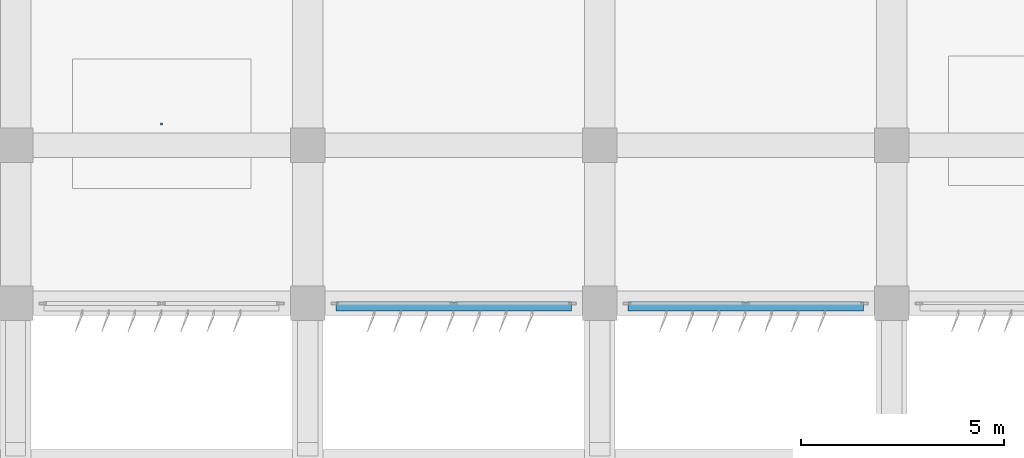
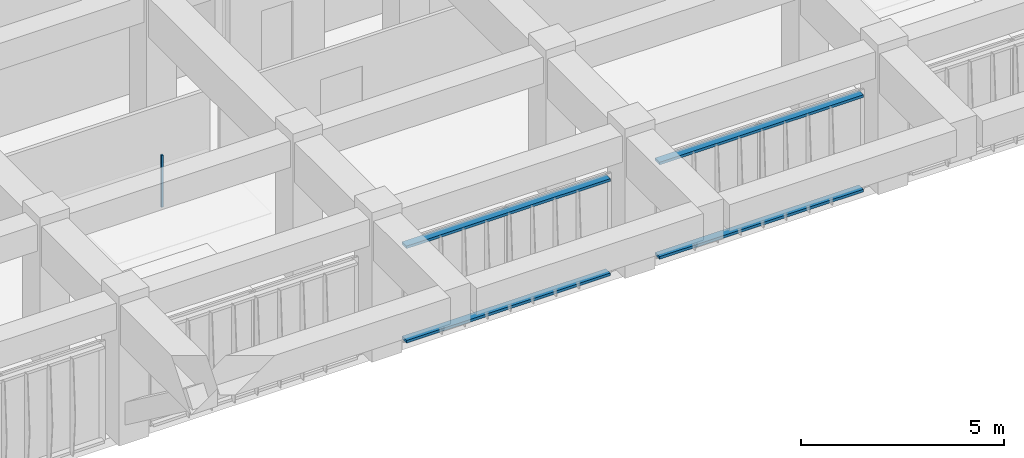
# One storey, part 40 of 56: 5 discrete accessories.
"""IFC4 building model written with IfcOpenShell, lengths in metres."""

from ifc_helpers import new_model, si_unit, direction, frame, origin, origin_2d, place, context, subcontext, project, spatial, rectangle, extrude, material, type_object, element, save


model = new_model("IFC4")

# Units and contexts
model_context = context("Model", 3, precision=1e-05, world=origin(), true_north=direction((0.0, 1.0)))
body_context = subcontext(model_context, "Body", "Model", "MODEL_VIEW")
ifc_project = project(units=[si_unit("LENGTHUNIT", "METRE"), si_unit("AREAUNIT", "SQUARE_METRE"), si_unit("VOLUMEUNIT", "CUBIC_METRE"), si_unit("PLANEANGLEUNIT", "RADIAN"), si_unit("MASSUNIT", "GRAM", prefix="KILO")], contexts=[model_context])

# Site, building, storey
site_placement = place(None, origin())
site = spatial("IfcSite", under=ifc_project, at=site_placement, CompositionType="ELEMENT")
building_placement = place(site_placement, origin())
building = spatial("IfcBuilding", under=site, at=building_placement, Name="Kazehaya Institute of Natural Sciences", CompositionType="ELEMENT")
storey_placement = place(building_placement, frame((0.0, 0.0, 24.300048828125)))
storey = spatial("IfcBuildingStorey", under=building, at=storey_placement, Name="L05", CompositionType="ELEMENT", Elevation=24.300048828125)

# Discrete accessories
ifc_material_1 = material(Name="Aluminium alloy A6063S-T5", Category="aluminium")
discrete_accessory_type_1 = type_object("IfcDiscreteAccessoryType", Name="ACC-BRK-01", PredefinedType="BRACKET", material=ifc_material_1)
for number, where, z_axis, x_axis, name in (
    (1, (79.800048828125, 10.02490234375, 0.039794921875), (0.0, 0.0, 1.0), (-1.0, 0.0, 0.0), "L05 fin support outrigger rail 1"),
    (2, (79.800048828125, 10.02490234375, 2.8798828125), (0.0, 0.0, 1.0), (-1.0, 0.0, 0.0), "L05 fin support outrigger rail 2"),
    (3, (72.60009765625, 10.02490234375, 0.039794921875), (0.0, 0.0, 1.0), (-1.0, 0.0, 0.0), "L05 fin support outrigger rail 1"),
    (4, (72.60009765625, 10.02490234375, 2.8798828125), (0.0, 0.0, 1.0), (-1.0, 0.0, 0.0), "L05 fin support outrigger rail 2"),
):
    element("IfcDiscreteAccessory", number, at=place(storey_placement, frame(where, z_axis=z_axis, x_axis=x_axis)), inside=storey, type_object=discrete_accessory_type_1, Name=name, PredefinedType="BRACKET", context=body_context, shape_type="SweptSolid", body=[
        extrude(rectangle(XDim=5.800048828125, YDim=0.219970703125, at=origin_2d()), origin(), (0.0, 0.0, 1.0), 0.080078125),
    ])
ifc_material_2 = material(Name="Structural steel SN490B", Category="steel")
discrete_accessory_type_2 = type_object("IfcDiscreteAccessoryType", Name="ACC-CLG-HGR", PredefinedType="BRACKET", material=ifc_material_2)
discrete_accessory_placement = place(storey_placement, frame((65.39990234375, 14.52490234375, 2.8525390625), z_axis=(0.0, 0.0, 1.0), x_axis=(1.0, 0.0, 0.0)))
element("IfcDiscreteAccessory", 5, at=discrete_accessory_placement, inside=storey, type_object=discrete_accessory_type_2, Name="L05 ceiling suspension hanger 48", PredefinedType="BRACKET", context=body_context, shape_type="SweptSolid", body=[
    extrude(rectangle(XDim=0.050048828125, YDim=0.050048828125, at=origin_2d()), origin(), (0.0, 0.0, 1.0), 1.5673828125),
])

save(model, "model.ifc")
